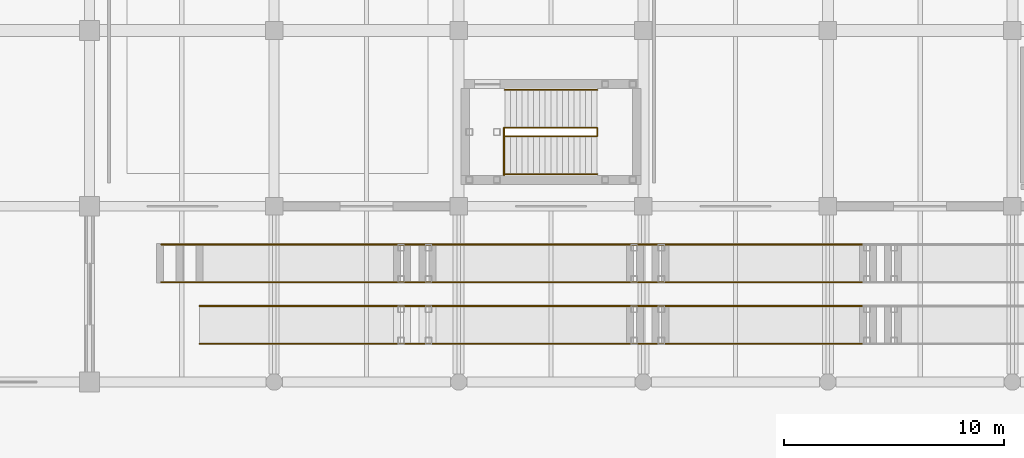
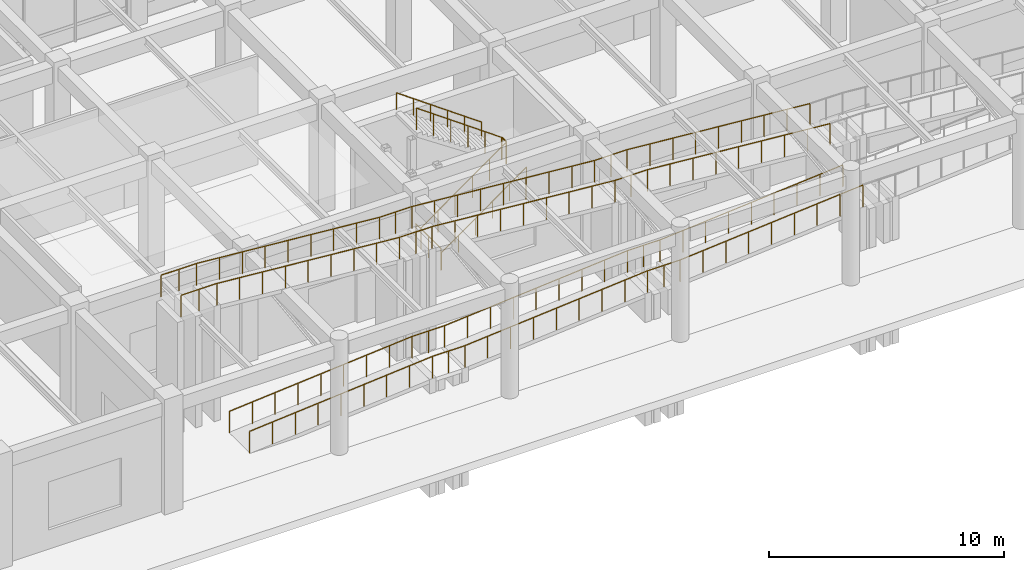
# One storey, part 69 of 76: 28 railings.
"""IFC4 building model written with IfcOpenShell, lengths in metres."""

import ifcopenshell
import ifcopenshell.guid

model = None  # the IFC model being written
_history = None  # IfcOwnerHistory: only IFC2X3 demands one
_inside = {}  # id of a spatial element -> (the spatial element, [elements in it])
_under = {}  # id of a project, library or spatial element -> (it, [spatial elements below it])
_declared = {}  # id of a project -> (the project, [libraries it declares])
_typed = {}  # id of a type object -> (the type object, [elements of that type])
_made_of = {}  # id of a material, layer set ... -> (it, [elements and type objects made of it])


def new_model(schema):
    """Start an empty IFC model of exactly this schema.

    Asked for "IFC4X3", IfcOpenShell would pick the latest addendum, in which some entities
    have other attributes; the version numbers below select the first issue.
    IFC2X3 requires an IfcOwnerHistory on every rooted entity: one is made here for all.
    """
    global model, _history
    if schema == "IFC4X3":
        model = ifcopenshell.file(schema_version=(4, 3, 0, 0))
    else:
        model = ifcopenshell.file(schema=schema)
    _inside.clear()
    _under.clear()
    _declared.clear()
    _typed.clear()
    _made_of.clear()
    _history = None
    if model.schema == "IFC2X3":
        org = make("IfcOrganization", Name="unknown")
        user = make(
            "IfcPersonAndOrganization",
            ThePerson=make("IfcPerson", FamilyName="unknown"),
            TheOrganization=org,
        )
        app = make(
            "IfcApplication",
            ApplicationDeveloper=org,
            Version="unknown",
            ApplicationFullName="unknown",
            ApplicationIdentifier="unknown",
        )
        _history = make(
            "IfcOwnerHistory",
            OwningUser=user,
            OwningApplication=app,
            ChangeAction="ADDED",
            CreationDate=0,
        )
    return model


def make(cls, **values):
    """One entity of the class cls with the attributes given. An attribute that is None is left unset."""
    return model.create_entity(
        cls, **{name: value for name, value in values.items() if value is not None}
    )


def rooted(cls, **values):
    """An entity with a GlobalId (a new one), such as an element, a storey or a relation."""
    return make(cls, GlobalId=ifcopenshell.guid.new(), OwnerHistory=_history, **values)


def si_unit(unit_type, name, prefix=None):
    """IfcSIUnit, for example si_unit("LENGTHUNIT", "METRE", prefix="MILLI")."""
    return make("IfcSIUnit", UnitType=unit_type, Prefix=prefix, Name=name)


def assignment(units):
    """IfcUnitAssignment: the units of a project."""
    return None if units is None else make("IfcUnitAssignment", Units=units)


def point(xyz):
    """IfcCartesianPoint."""
    return None if xyz is None else make("IfcCartesianPoint", Coordinates=xyz)


def direction(xyz):
    """IfcDirection."""
    return None if xyz is None else make("IfcDirection", DirectionRatios=xyz)


def frame(location, z_axis=None, x_axis=None):
    """IfcAxis2Placement3D, a coordinate frame: its origin and axes. An axis left out is left unset."""
    return make(
        "IfcAxis2Placement3D",
        Location=point(location),
        Axis=direction(z_axis),
        RefDirection=direction(x_axis),
    )


def frame_2d(location, x_axis=None):
    """IfcAxis2Placement2D, a coordinate frame in the plane: its origin and x axis."""
    return make(
        "IfcAxis2Placement2D", Location=point(location), RefDirection=direction(x_axis)
    )


def origin():
    """The frame at (0, 0, 0) with its axes left unset."""
    return frame((0.0, 0.0, 0.0))


def origin_2d():
    """The frame at (0, 0) in the plane with its x axis left unset."""
    return frame_2d((0.0, 0.0))


def place(relative_to, where):
    """IfcLocalPlacement: puts the frame where relative to a parent placement (None: the world)."""
    return make(
        "IfcLocalPlacement", PlacementRelTo=relative_to, RelativePlacement=where
    )


def context(
    kind, dimensions, precision=None, world=None, true_north=None, identifier=None
):
    """IfcGeometricRepresentationContext, for example the 3D "Model" context."""
    return make(
        "IfcGeometricRepresentationContext",
        ContextIdentifier=identifier,
        ContextType=kind,
        CoordinateSpaceDimension=dimensions,
        Precision=precision,
        WorldCoordinateSystem=world,
        TrueNorth=true_north,
    )


def subcontext(parent, identifier, kind, view, scale=None):
    """IfcGeometricRepresentationSubContext, for example "Body" below "Model"."""
    return make(
        "IfcGeometricRepresentationSubContext",
        ContextIdentifier=identifier,
        ContextType=kind,
        ParentContext=parent,
        TargetScale=scale,
        TargetView=view,
    )


def project(units=None, contexts=None):
    """IfcProject with its units and contexts."""
    return rooted(
        "IfcProject",
        Name="project",
        RepresentationContexts=contexts,
        UnitsInContext=assignment(units),
    )


def spatial(cls, under=None, at=None, **own):
    """A site, building, storey or space (cls), placed at a placement, below another one or the project."""
    s = rooted(cls, ObjectPlacement=at, **own)
    if under is not None:
        _under.setdefault(under.id(), (under, []))[1].append(s)
    return s


def profile(cls, at=None, kind="AREA", **sizes):
    """A parametric profile (cls). Its sizes go by their IFC names, for example OverallWidth=200.0."""
    return make(cls, ProfileType=kind, Position=at, **sizes)


def circle(**sizes):
    """IfcCircleProfileDef."""
    return profile("IfcCircleProfileDef", **sizes)


def extrude(swept, where, along, depth):
    """IfcExtrudedAreaSolid: the profile swept, set in the frame where, extruded along a direction by depth."""
    return make(
        "IfcExtrudedAreaSolid",
        SweptArea=swept,
        Position=where,
        ExtrudedDirection=direction(along),
        Depth=depth,
    )


def shape(context_of_items, identifier, shape_type, items):
    """IfcShapeRepresentation: the items that make up one representation, for example the "Body"."""
    return make(
        "IfcShapeRepresentation",
        ContextOfItems=context_of_items,
        RepresentationIdentifier=identifier,
        RepresentationType=shape_type,
        Items=items,
    )


def material(Name=None, Category=None):
    """IfcMaterial."""
    return make("IfcMaterial", Name=Name, Category=Category)


def layer(
    of_material, thickness, ventilated=None, Name=None, Category=None, Priority=None
):
    """IfcMaterialLayer: one layer of a wall or slab, of a material (None: an air gap)."""
    return make(
        "IfcMaterialLayer",
        Material=of_material,
        LayerThickness=thickness,
        IsVentilated=ventilated,
        Name=Name,
        Category=Category,
        Priority=Priority,
    )


def layer_set(layers, Name=None):
    """IfcMaterialLayerSet."""
    return make("IfcMaterialLayerSet", MaterialLayers=layers, LayerSetName=Name)


def made_of(thing, what):
    """Note that an element or type object is made of a material, layer set ...; save() writes the relation."""
    if what is not None:
        _made_of.setdefault(what.id(), (what, []))[1].append(thing)
    return thing


def type_object(cls, material=None, **own):
    """A type object (cls), such as IfcWallType, which elements share."""
    return made_of(rooted(cls, **own), material)


def element(
    cls,
    number,
    at=None,
    inside=None,
    cuts=None,
    type_object=None,
    material=None,
    context=None,
    identifier="Body",
    shape_type=None,
    held_by="IfcProductDefinitionShape",
    body=None,
    shapes=None,
    **own,
):
    """One element of the class cls, such as IfcWall. Its Tag is "e" and its number.

    at: its placement. inside: the storey or other place that contains it. cuts: it is an
    opening in that element (IfcRelVoidsElement). A single representation is given by context,
    identifier, shape_type and body (its items); several are given by shapes. held_by: the class
    of the entity that holds the representations. save() writes the other relations.
    """
    e = rooted(cls, Tag="e%d" % number, ObjectPlacement=at, **own)
    if body is not None:
        shapes = [shape(context, identifier, shape_type, body)]
    if shapes is not None:
        e.Representation = make(held_by, Representations=shapes)
    if inside is not None:
        _inside.setdefault(inside.id(), (inside, []))[1].append(e)
    if cuts is not None:
        rooted(
            "IfcRelVoidsElement", RelatingBuildingElement=cuts, RelatedOpeningElement=e
        )
    if type_object is not None:
        _typed.setdefault(type_object.id(), (type_object, []))[1].append(e)
    return made_of(e, material)


def aggregate(whole, parts):
    """IfcRelAggregates: a whole, such as a stair, and the parts it consists of."""
    return rooted("IfcRelAggregates", RelatingObject=whole, RelatedObjects=parts)


def save(model, path):
    """Write the relations noted so far, then the file.

    IfcRelAggregates (storeys below a building ...), IfcRelContainedInSpatialStructure (elements
    in a storey), IfcRelDefinesByType, IfcRelAssociatesMaterial and IfcRelDeclares: one each for
    every whole, place, type object, material and project.
    """
    for whole, parts in _under.values():
        aggregate(whole, parts)
    for where, things in _inside.values():
        rooted(
            "IfcRelContainedInSpatialStructure",
            RelatedElements=things,
            RelatingStructure=where,
        )
    for kind, things in _typed.values():
        rooted("IfcRelDefinesByType", RelatedObjects=things, RelatingType=kind)
    for what, things in _made_of.values():
        rooted("IfcRelAssociatesMaterial", RelatedObjects=things, RelatingMaterial=what)
    for by, libraries in _declared.values():
        rooted("IfcRelDeclares", RelatingContext=by, RelatedDefinitions=libraries)
    model.write(path)


model = new_model("IFC4")

# Units and contexts
model_context = context("Model", 3, precision=1e-05, world=origin(), true_north=direction((0.0, 1.0)))
body_context = subcontext(model_context, "Body", "Model", "MODEL_VIEW")
ifc_project = project(units=[si_unit("LENGTHUNIT", "METRE"), si_unit("AREAUNIT", "SQUARE_METRE"), si_unit("VOLUMEUNIT", "CUBIC_METRE"), si_unit("PLANEANGLEUNIT", "RADIAN"), si_unit("MASSUNIT", "GRAM", prefix="KILO")], contexts=[model_context])

# Site, building, storey
site_placement = place(None, origin())
site = spatial("IfcSite", under=ifc_project, at=site_placement, CompositionType="ELEMENT")
building_placement = place(site_placement, origin())
building = spatial("IfcBuilding", under=site, at=building_placement, Name="Naruveol Harbour Congress Hotel", CompositionType="ELEMENT")
storey_placement = place(building_placement, origin())
storey = spatial("IfcBuildingStorey", under=building, at=storey_placement, Name="L00", CompositionType="ELEMENT", Elevation=0.0)

# Railings
ifc_material_1 = material(Name="Steel SN490", Category="steel")
ifc_layer_1 = layer(ifc_material_1, 0.050048828125)
ifc_layer_set_1 = layer_set([ifc_layer_1], Name="Steel SN490")
railing_type_1 = type_object("IfcRailingType", Name="GALVANISED STEEL DECK GUARDRAIL 1150", PredefinedType="GUARDRAIL", material=ifc_layer_set_1)
railing_1_placement = place(storey_placement, frame((63.800048828125, 1.739990234375, 0.0)))
element("IfcRailing", 1, at=railing_1_placement, inside=storey, type_object=railing_type_1, Name="Ramp east run south guard #8", PredefinedType="GUARDRAIL", context=body_context, shape_type="SweptSolid", body=[
    extrude(circle(Radius=0.02392578125, at=origin_2d()), frame((0.0, 0.0, 1.1259765625), z_axis=(0.996545758245, 0.0, 0.083045479854), x_axis=(0.0, 1.0, 0.0)), (0.0, 0.0, 1.0), 9.03125),
    extrude(circle(Radius=0.02099609375, at=origin_2d()), origin(), (0.0, 0.0, 1.0), 1.101806640625),
    extrude(circle(Radius=0.02099609375, at=origin_2d()), frame((1.125, 0.0, 0.09375)), (0.0, 0.0, 1.0), 1.101806640625),
    extrude(circle(Radius=0.02099609375, at=origin_2d()), frame((2.25, 0.0, 0.1875)), (0.0, 0.0, 1.0), 1.101806640625),
    extrude(circle(Radius=0.02099609375, at=origin_2d()), frame((3.375, 0.0, 0.28125)), (0.0, 0.0, 1.0), 1.101806640625),
    extrude(circle(Radius=0.02099609375, at=origin_2d()), frame((4.5, 0.0, 0.375)), (0.0, 0.0, 1.0), 1.101806640625),
    extrude(circle(Radius=0.02099609375, at=origin_2d()), frame((5.625, 0.0, 0.46875)), (0.0, 0.0, 1.0), 1.101806640625),
    extrude(circle(Radius=0.02099609375, at=origin_2d()), frame((6.75, 0.0, 0.5625)), (0.0, 0.0, 1.0), 1.101806640625),
    extrude(circle(Radius=0.02099609375, at=origin_2d()), frame((7.875, 0.0, 0.65625)), (0.0, 0.0, 1.0), 1.101806640625),
    extrude(circle(Radius=0.02099609375, at=origin_2d()), frame((9.0, 0.0, 0.75)), (0.0, 0.0, 1.0), 1.101806640625),
])
railing_2_placement = place(storey_placement, frame((72.800048828125, 1.739990234375, 0.75)))
element("IfcRailing", 2, at=railing_2_placement, inside=storey, type_object=railing_type_1, Name="Ramp east run south guard #9", PredefinedType="GUARDRAIL", context=body_context, shape_type="SweptSolid", body=[
    extrude(circle(Radius=0.02392578125, at=origin_2d()), frame((0.0, 0.0, 1.1259765625), z_axis=(1.0, 0.0, 0.0), x_axis=(0.0, 1.0, 0.0)), (0.0, 0.0, 1.0), 1.599853515625),
    extrude(circle(Radius=0.02099609375, at=origin_2d()), origin(), (0.0, 0.0, 1.0), 1.101806640625),
    extrude(circle(Radius=0.02099609375, at=origin_2d()), frame((0.7998046875, 0.0, 0.0)), (0.0, 0.0, 1.0), 1.101806640625),
    extrude(circle(Radius=0.02099609375, at=origin_2d()), frame((1.599853515625, 0.0, 0.0)), (0.0, 0.0, 1.0), 1.101806640625),
])
railing_3_placement = place(storey_placement, frame((74.39990234375, 1.739990234375, 0.75)))
element("IfcRailing", 3, at=railing_3_placement, inside=storey, type_object=railing_type_1, Name="Ramp east run south guard #10", PredefinedType="GUARDRAIL", context=body_context, shape_type="SweptSolid", body=[
    extrude(circle(Radius=0.02392578125, at=origin_2d()), frame((0.0, 0.0, 1.1259765625), z_axis=(0.996545758245, 0.0, 0.083045479854), x_axis=(0.0, 1.0, 0.0)), (0.0, 0.0, 1.0), 9.03125),
    extrude(circle(Radius=0.02099609375, at=origin_2d()), origin(), (0.0, 0.0, 1.0), 1.101806640625),
    extrude(circle(Radius=0.02099609375, at=origin_2d()), frame((1.125, 0.0, 0.09375)), (0.0, 0.0, 1.0), 1.101806640625),
    extrude(circle(Radius=0.02099609375, at=origin_2d()), frame((2.25, 0.0, 0.1875)), (0.0, 0.0, 1.0), 1.101806640625),
    extrude(circle(Radius=0.02099609375, at=origin_2d()), frame((3.375, 0.0, 0.28125)), (0.0, 0.0, 1.0), 1.101806640625),
    extrude(circle(Radius=0.02099609375, at=origin_2d()), frame((4.5, 0.0, 0.375)), (0.0, 0.0, 1.0), 1.101806640625),
    extrude(circle(Radius=0.02099609375, at=origin_2d()), frame((5.625, 0.0, 0.46875)), (0.0, 0.0, 1.0), 1.101806640625),
    extrude(circle(Radius=0.02099609375, at=origin_2d()), frame((6.75, 0.0, 0.5625)), (0.0, 0.0, 1.0), 1.101806640625),
    extrude(circle(Radius=0.02099609375, at=origin_2d()), frame((7.875, 0.0, 0.65625)), (0.0, 0.0, 1.0), 1.101806640625),
    extrude(circle(Radius=0.02099609375, at=origin_2d()), frame((9.0, 0.0, 0.75)), (0.0, 0.0, 1.0), 1.101806640625),
])
railing_4_placement = place(storey_placement, frame((83.39990234375, 1.739990234375, 1.5)))
element("IfcRailing", 4, at=railing_4_placement, inside=storey, type_object=railing_type_1, Name="Ramp east run south guard #11", PredefinedType="GUARDRAIL", context=body_context, shape_type="SweptSolid", body=[
    extrude(circle(Radius=0.02392578125, at=origin_2d()), frame((0.0, 0.0, 1.1259765625), z_axis=(1.0, 0.0, 0.0), x_axis=(0.0, 1.0, 0.0)), (0.0, 0.0, 1.0), 1.60009765625),
    extrude(circle(Radius=0.02099609375, at=origin_2d()), origin(), (0.0, 0.0, 1.0), 1.101806640625),
    extrude(circle(Radius=0.02099609375, at=origin_2d()), frame((0.800048828125, 0.0, 0.0)), (0.0, 0.0, 1.0), 1.101806640625),
    extrude(circle(Radius=0.02099609375, at=origin_2d()), frame((1.60009765625, 0.0, 0.0)), (0.0, 0.0, 1.0), 1.101806640625),
])
for number, where, name in (
    (5, (85.0, 1.739990234375, 1.5), "Ramp east run south guard #12"),
    (6, (63.800048828125, 3.4599609375, 0.0), "Ramp east run inner guard #15"),
):
    element("IfcRailing", number, at=place(storey_placement, frame(where)), inside=storey, type_object=railing_type_1, Name=name, PredefinedType="GUARDRAIL", context=body_context, shape_type="SweptSolid", body=[
        extrude(circle(Radius=0.02392578125, at=origin_2d()), frame((0.0, 0.0, 1.1259765625), z_axis=(0.996545758245, 0.0, 0.083045479854), x_axis=(0.0, 1.0, 0.0)), (0.0, 0.0, 1.0), 9.03125),
        extrude(circle(Radius=0.02099609375, at=origin_2d()), origin(), (0.0, 0.0, 1.0), 1.101806640625),
        extrude(circle(Radius=0.02099609375, at=origin_2d()), frame((1.125, 0.0, 0.09375)), (0.0, 0.0, 1.0), 1.101806640625),
        extrude(circle(Radius=0.02099609375, at=origin_2d()), frame((2.25, 0.0, 0.1875)), (0.0, 0.0, 1.0), 1.101806640625),
        extrude(circle(Radius=0.02099609375, at=origin_2d()), frame((3.375, 0.0, 0.28125)), (0.0, 0.0, 1.0), 1.101806640625),
        extrude(circle(Radius=0.02099609375, at=origin_2d()), frame((4.5, 0.0, 0.375)), (0.0, 0.0, 1.0), 1.101806640625),
        extrude(circle(Radius=0.02099609375, at=origin_2d()), frame((5.625, 0.0, 0.46875)), (0.0, 0.0, 1.0), 1.101806640625),
        extrude(circle(Radius=0.02099609375, at=origin_2d()), frame((6.75, 0.0, 0.5625)), (0.0, 0.0, 1.0), 1.101806640625),
        extrude(circle(Radius=0.02099609375, at=origin_2d()), frame((7.875, 0.0, 0.65625)), (0.0, 0.0, 1.0), 1.101806640625),
        extrude(circle(Radius=0.02099609375, at=origin_2d()), frame((9.0, 0.0, 0.75)), (0.0, 0.0, 1.0), 1.101806640625),
    ])
railing_5_placement = place(storey_placement, frame((72.800048828125, 3.4599609375, 0.75)))
element("IfcRailing", 7, at=railing_5_placement, inside=storey, type_object=railing_type_1, Name="Ramp east run inner guard #16", PredefinedType="GUARDRAIL", context=body_context, shape_type="SweptSolid", body=[
    extrude(circle(Radius=0.02392578125, at=origin_2d()), frame((0.0, 0.0, 1.1259765625), z_axis=(1.0, 0.0, 0.0), x_axis=(0.0, 1.0, 0.0)), (0.0, 0.0, 1.0), 1.599853515625),
    extrude(circle(Radius=0.02099609375, at=origin_2d()), origin(), (0.0, 0.0, 1.0), 1.101806640625),
    extrude(circle(Radius=0.02099609375, at=origin_2d()), frame((0.7998046875, 0.0, 0.0)), (0.0, 0.0, 1.0), 1.101806640625),
    extrude(circle(Radius=0.02099609375, at=origin_2d()), frame((1.599853515625, 0.0, 0.0)), (0.0, 0.0, 1.0), 1.101806640625),
])
railing_6_placement = place(storey_placement, frame((74.39990234375, 3.4599609375, 0.75)))
element("IfcRailing", 8, at=railing_6_placement, inside=storey, type_object=railing_type_1, Name="Ramp east run inner guard #17", PredefinedType="GUARDRAIL", context=body_context, shape_type="SweptSolid", body=[
    extrude(circle(Radius=0.02392578125, at=origin_2d()), frame((0.0, 0.0, 1.1259765625), z_axis=(0.996545758245, 0.0, 0.083045479854), x_axis=(0.0, 1.0, 0.0)), (0.0, 0.0, 1.0), 9.03125),
    extrude(circle(Radius=0.02099609375, at=origin_2d()), origin(), (0.0, 0.0, 1.0), 1.101806640625),
    extrude(circle(Radius=0.02099609375, at=origin_2d()), frame((1.125, 0.0, 0.09375)), (0.0, 0.0, 1.0), 1.101806640625),
    extrude(circle(Radius=0.02099609375, at=origin_2d()), frame((2.25, 0.0, 0.1875)), (0.0, 0.0, 1.0), 1.101806640625),
    extrude(circle(Radius=0.02099609375, at=origin_2d()), frame((3.375, 0.0, 0.28125)), (0.0, 0.0, 1.0), 1.101806640625),
    extrude(circle(Radius=0.02099609375, at=origin_2d()), frame((4.5, 0.0, 0.375)), (0.0, 0.0, 1.0), 1.101806640625),
    extrude(circle(Radius=0.02099609375, at=origin_2d()), frame((5.625, 0.0, 0.46875)), (0.0, 0.0, 1.0), 1.101806640625),
    extrude(circle(Radius=0.02099609375, at=origin_2d()), frame((6.75, 0.0, 0.5625)), (0.0, 0.0, 1.0), 1.101806640625),
    extrude(circle(Radius=0.02099609375, at=origin_2d()), frame((7.875, 0.0, 0.65625)), (0.0, 0.0, 1.0), 1.101806640625),
    extrude(circle(Radius=0.02099609375, at=origin_2d()), frame((9.0, 0.0, 0.75)), (0.0, 0.0, 1.0), 1.101806640625),
])
railing_7_placement = place(storey_placement, frame((83.39990234375, 3.4599609375, 1.5)))
element("IfcRailing", 9, at=railing_7_placement, inside=storey, type_object=railing_type_1, Name="Ramp east run inner guard #18", PredefinedType="GUARDRAIL", context=body_context, shape_type="SweptSolid", body=[
    extrude(circle(Radius=0.02392578125, at=origin_2d()), frame((0.0, 0.0, 1.1259765625), z_axis=(1.0, 0.0, 0.0), x_axis=(0.0, 1.0, 0.0)), (0.0, 0.0, 1.0), 1.60009765625),
    extrude(circle(Radius=0.02099609375, at=origin_2d()), origin(), (0.0, 0.0, 1.0), 1.101806640625),
    extrude(circle(Radius=0.02099609375, at=origin_2d()), frame((0.800048828125, 0.0, 0.0)), (0.0, 0.0, 1.0), 1.101806640625),
    extrude(circle(Radius=0.02099609375, at=origin_2d()), frame((1.60009765625, 0.0, 0.0)), (0.0, 0.0, 1.0), 1.101806640625),
])
railing_8_placement = place(storey_placement, frame((85.0, 3.4599609375, 1.5)))
element("IfcRailing", 10, at=railing_8_placement, inside=storey, type_object=railing_type_1, Name="Ramp east run inner guard #19", PredefinedType="GUARDRAIL", context=body_context, shape_type="SweptSolid", body=[
    extrude(circle(Radius=0.02392578125, at=origin_2d()), frame((0.0, 0.0, 1.1259765625), z_axis=(0.996545758245, 0.0, 0.083045479854), x_axis=(0.0, 1.0, 0.0)), (0.0, 0.0, 1.0), 9.03125),
    extrude(circle(Radius=0.02099609375, at=origin_2d()), origin(), (0.0, 0.0, 1.0), 1.101806640625),
    extrude(circle(Radius=0.02099609375, at=origin_2d()), frame((1.125, 0.0, 0.09375)), (0.0, 0.0, 1.0), 1.101806640625),
    extrude(circle(Radius=0.02099609375, at=origin_2d()), frame((2.25, 0.0, 0.1875)), (0.0, 0.0, 1.0), 1.101806640625),
    extrude(circle(Radius=0.02099609375, at=origin_2d()), frame((3.375, 0.0, 0.28125)), (0.0, 0.0, 1.0), 1.101806640625),
    extrude(circle(Radius=0.02099609375, at=origin_2d()), frame((4.5, 0.0, 0.375)), (0.0, 0.0, 1.0), 1.101806640625),
    extrude(circle(Radius=0.02099609375, at=origin_2d()), frame((5.625, 0.0, 0.46875)), (0.0, 0.0, 1.0), 1.101806640625),
    extrude(circle(Radius=0.02099609375, at=origin_2d()), frame((6.75, 0.0, 0.5625)), (0.0, 0.0, 1.0), 1.101806640625),
    extrude(circle(Radius=0.02099609375, at=origin_2d()), frame((7.875, 0.0, 0.65625)), (0.0, 0.0, 1.0), 1.101806640625),
    extrude(circle(Radius=0.02099609375, at=origin_2d()), frame((9.0, 0.0, 0.75)), (0.0, 0.0, 1.0), 1.101806640625),
])
railing_9_placement = place(storey_placement, frame((94.0, 4.5400390625, 3.75)))
element("IfcRailing", 11, at=railing_9_placement, inside=storey, type_object=railing_type_1, Name="Ramp west run inner guard #29", PredefinedType="GUARDRAIL", context=body_context, shape_type="SweptSolid", body=[
    extrude(circle(Radius=0.02392578125, at=origin_2d()), frame((0.0, 0.0, 1.1259765625), z_axis=(-0.996545758245, 0.0, 0.083045479854), x_axis=(0.0, -1.0, 0.0)), (0.0, 0.0, 1.0), 9.03125),
    extrude(circle(Radius=0.02099609375, at=origin_2d()), origin(), (0.0, 0.0, 1.0), 1.101806640625),
    extrude(circle(Radius=0.02099609375, at=origin_2d()), frame((-1.125, 0.0, 0.09375)), (0.0, 0.0, 1.0), 1.101806640625),
    extrude(circle(Radius=0.02099609375, at=origin_2d()), frame((-2.25, 0.0, 0.1875)), (0.0, 0.0, 1.0), 1.101806640625),
    extrude(circle(Radius=0.02099609375, at=origin_2d()), frame((-3.375, 0.0, 0.28125)), (0.0, 0.0, 1.0), 1.101806640625),
    extrude(circle(Radius=0.02099609375, at=origin_2d()), frame((-4.5, 0.0, 0.375)), (0.0, 0.0, 1.0), 1.101806640625),
    extrude(circle(Radius=0.02099609375, at=origin_2d()), frame((-5.625, 0.0, 0.46875)), (0.0, 0.0, 1.0), 1.101806640625),
    extrude(circle(Radius=0.02099609375, at=origin_2d()), frame((-6.75, 0.0, 0.5625)), (0.0, 0.0, 1.0), 1.101806640625),
    extrude(circle(Radius=0.02099609375, at=origin_2d()), frame((-7.875, 0.0, 0.65625)), (0.0, 0.0, 1.0), 1.101806640625),
    extrude(circle(Radius=0.02099609375, at=origin_2d()), frame((-9.0, 0.0, 0.75)), (0.0, 0.0, 1.0), 1.101806640625),
])
railing_10_placement = place(storey_placement, frame((85.0, 4.5400390625, 4.5)))
element("IfcRailing", 12, at=railing_10_placement, inside=storey, type_object=railing_type_1, Name="Ramp west run inner guard #30", PredefinedType="GUARDRAIL", context=body_context, shape_type="SweptSolid", body=[
    extrude(circle(Radius=0.02392578125, at=origin_2d()), frame((0.0, 0.0, 1.1259765625), z_axis=(-1.0, 0.0, 0.0), x_axis=(0.0, -1.0, 0.0)), (0.0, 0.0, 1.0), 1.60009765625),
    extrude(circle(Radius=0.02099609375, at=origin_2d()), origin(), (0.0, 0.0, 1.0), 1.101806640625),
    extrude(circle(Radius=0.02099609375, at=origin_2d()), frame((-0.800048828125, 0.0, 0.0)), (0.0, 0.0, 1.0), 1.101806640625),
    extrude(circle(Radius=0.02099609375, at=origin_2d()), frame((-1.60009765625, 0.0, 0.0)), (0.0, 0.0, 1.0), 1.101806640625),
])
railing_11_placement = place(storey_placement, frame((83.39990234375, 4.5400390625, 4.5)))
element("IfcRailing", 13, at=railing_11_placement, inside=storey, type_object=railing_type_1, Name="Ramp west run inner guard #31", PredefinedType="GUARDRAIL", context=body_context, shape_type="SweptSolid", body=[
    extrude(circle(Radius=0.02392578125, at=origin_2d()), frame((0.0, 0.0, 1.1259765625), z_axis=(-0.996545758245, 0.0, 0.083045479854), x_axis=(0.0, -1.0, 0.0)), (0.0, 0.0, 1.0), 9.03125),
    extrude(circle(Radius=0.02099609375, at=origin_2d()), origin(), (0.0, 0.0, 1.0), 1.101806640625),
    extrude(circle(Radius=0.02099609375, at=origin_2d()), frame((-1.125, 0.0, 0.09375)), (0.0, 0.0, 1.0), 1.101806640625),
    extrude(circle(Radius=0.02099609375, at=origin_2d()), frame((-2.25, 0.0, 0.1875)), (0.0, 0.0, 1.0), 1.101806640625),
    extrude(circle(Radius=0.02099609375, at=origin_2d()), frame((-3.375, 0.0, 0.28125)), (0.0, 0.0, 1.0), 1.101806640625),
    extrude(circle(Radius=0.02099609375, at=origin_2d()), frame((-4.5, 0.0, 0.375)), (0.0, 0.0, 1.0), 1.101806640625),
    extrude(circle(Radius=0.02099609375, at=origin_2d()), frame((-5.625, 0.0, 0.46875)), (0.0, 0.0, 1.0), 1.101806640625),
    extrude(circle(Radius=0.02099609375, at=origin_2d()), frame((-6.75, 0.0, 0.5625)), (0.0, 0.0, 1.0), 1.101806640625),
    extrude(circle(Radius=0.02099609375, at=origin_2d()), frame((-7.875, 0.0, 0.65625)), (0.0, 0.0, 1.0), 1.101806640625),
    extrude(circle(Radius=0.02099609375, at=origin_2d()), frame((-9.0, 0.0, 0.75)), (0.0, 0.0, 1.0), 1.101806640625),
])
railing_12_placement = place(storey_placement, frame((74.39990234375, 4.5400390625, 5.25)))
element("IfcRailing", 14, at=railing_12_placement, inside=storey, type_object=railing_type_1, Name="Ramp west run inner guard #32", PredefinedType="GUARDRAIL", context=body_context, shape_type="SweptSolid", body=[
    extrude(circle(Radius=0.02392578125, at=origin_2d()), frame((0.0, 0.0, 1.1259765625), z_axis=(-1.0, 0.0, 0.0), x_axis=(0.0, -1.0, 0.0)), (0.0, 0.0, 1.0), 1.599853515625),
    extrude(circle(Radius=0.02099609375, at=origin_2d()), origin(), (0.0, 0.0, 1.0), 1.101806640625),
    extrude(circle(Radius=0.02099609375, at=origin_2d()), frame((-0.7998046875, 0.0, 0.0)), (0.0, 0.0, 1.0), 1.101806640625),
    extrude(circle(Radius=0.02099609375, at=origin_2d()), frame((-1.599853515625, 0.0, 0.0)), (0.0, 0.0, 1.0), 1.101806640625),
])
railing_13_placement = place(storey_placement, frame((72.800048828125, 4.5400390625, 5.25)))
element("IfcRailing", 15, at=railing_13_placement, inside=storey, type_object=railing_type_1, Name="Ramp west run inner guard #33", PredefinedType="GUARDRAIL", context=body_context, shape_type="SweptSolid", body=[
    extrude(circle(Radius=0.02392578125, at=origin_2d()), frame((0.0, 0.0, 1.1259765625), z_axis=(-0.996545758245, 0.0, 0.083045479854), x_axis=(0.0, -1.0, 0.0)), (0.0, 0.0, 1.0), 9.03125),
    extrude(circle(Radius=0.02099609375, at=origin_2d()), origin(), (0.0, 0.0, 1.0), 1.101806640625),
    extrude(circle(Radius=0.02099609375, at=origin_2d()), frame((-1.125, 0.0, 0.09375)), (0.0, 0.0, 1.0), 1.101806640625),
    extrude(circle(Radius=0.02099609375, at=origin_2d()), frame((-2.25, 0.0, 0.1875)), (0.0, 0.0, 1.0), 1.101806640625),
    extrude(circle(Radius=0.02099609375, at=origin_2d()), frame((-3.375, 0.0, 0.28125)), (0.0, 0.0, 1.0), 1.101806640625),
    extrude(circle(Radius=0.02099609375, at=origin_2d()), frame((-4.5, 0.0, 0.375)), (0.0, 0.0, 1.0), 1.101806640625),
    extrude(circle(Radius=0.02099609375, at=origin_2d()), frame((-5.625, 0.0, 0.46875)), (0.0, 0.0, 1.0), 1.101806640625),
    extrude(circle(Radius=0.02099609375, at=origin_2d()), frame((-6.75, 0.0, 0.5625)), (0.0, 0.0, 1.0), 1.101806640625),
    extrude(circle(Radius=0.02099609375, at=origin_2d()), frame((-7.875, 0.0, 0.65625)), (0.0, 0.0, 1.0), 1.101806640625),
    extrude(circle(Radius=0.02099609375, at=origin_2d()), frame((-9.0, 0.0, 0.75)), (0.0, 0.0, 1.0), 1.101806640625),
])
railing_14_placement = place(storey_placement, frame((63.800048828125, 4.5400390625, 6.0)))
element("IfcRailing", 16, at=railing_14_placement, inside=storey, type_object=railing_type_1, Name="Ramp west run inner guard #34", PredefinedType="GUARDRAIL", context=body_context, shape_type="SweptSolid", body=[
    extrude(circle(Radius=0.02392578125, at=origin_2d()), frame((0.0, 0.0, 1.1259765625), z_axis=(-1.0, 0.0, 0.0), x_axis=(0.0, -1.0, 0.0)), (0.0, 0.0, 1.0), 1.75),
    extrude(circle(Radius=0.02099609375, at=origin_2d()), origin(), (0.0, 0.0, 1.0), 1.101806640625),
    extrude(circle(Radius=0.02099609375, at=origin_2d()), frame((-0.875, 0.0, 0.0)), (0.0, 0.0, 1.0), 1.101806640625),
    extrude(circle(Radius=0.02099609375, at=origin_2d()), frame((-1.75, 0.0, 0.0)), (0.0, 0.0, 1.0), 1.101806640625),
])
railing_15_placement = place(storey_placement, frame((94.0, 6.260009765625, 3.75)))
element("IfcRailing", 17, at=railing_15_placement, inside=storey, type_object=railing_type_1, Name="Ramp west run north guard #37", PredefinedType="GUARDRAIL", context=body_context, shape_type="SweptSolid", body=[
    extrude(circle(Radius=0.02392578125, at=origin_2d()), frame((0.0, 0.0, 1.1259765625), z_axis=(-0.996545758245, 0.0, 0.083045479854), x_axis=(0.0, -1.0, 0.0)), (0.0, 0.0, 1.0), 9.03125),
    extrude(circle(Radius=0.02099609375, at=origin_2d()), origin(), (0.0, 0.0, 1.0), 1.101806640625),
    extrude(circle(Radius=0.02099609375, at=origin_2d()), frame((-1.125, 0.0, 0.09375)), (0.0, 0.0, 1.0), 1.101806640625),
    extrude(circle(Radius=0.02099609375, at=origin_2d()), frame((-2.25, 0.0, 0.1875)), (0.0, 0.0, 1.0), 1.101806640625),
    extrude(circle(Radius=0.02099609375, at=origin_2d()), frame((-3.375, 0.0, 0.28125)), (0.0, 0.0, 1.0), 1.101806640625),
    extrude(circle(Radius=0.02099609375, at=origin_2d()), frame((-4.5, 0.0, 0.375)), (0.0, 0.0, 1.0), 1.101806640625),
    extrude(circle(Radius=0.02099609375, at=origin_2d()), frame((-5.625, 0.0, 0.46875)), (0.0, 0.0, 1.0), 1.101806640625),
    extrude(circle(Radius=0.02099609375, at=origin_2d()), frame((-6.75, 0.0, 0.5625)), (0.0, 0.0, 1.0), 1.101806640625),
    extrude(circle(Radius=0.02099609375, at=origin_2d()), frame((-7.875, 0.0, 0.65625)), (0.0, 0.0, 1.0), 1.101806640625),
    extrude(circle(Radius=0.02099609375, at=origin_2d()), frame((-9.0, 0.0, 0.75)), (0.0, 0.0, 1.0), 1.101806640625),
])
railing_16_placement = place(storey_placement, frame((85.0, 6.260009765625, 4.5)))
element("IfcRailing", 18, at=railing_16_placement, inside=storey, type_object=railing_type_1, Name="Ramp west run north guard #38", PredefinedType="GUARDRAIL", context=body_context, shape_type="SweptSolid", body=[
    extrude(circle(Radius=0.02392578125, at=origin_2d()), frame((0.0, 0.0, 1.1259765625), z_axis=(-1.0, 0.0, 0.0), x_axis=(0.0, -1.0, 0.0)), (0.0, 0.0, 1.0), 1.60009765625),
    extrude(circle(Radius=0.02099609375, at=origin_2d()), origin(), (0.0, 0.0, 1.0), 1.101806640625),
    extrude(circle(Radius=0.02099609375, at=origin_2d()), frame((-0.800048828125, 0.0, 0.0)), (0.0, 0.0, 1.0), 1.101806640625),
    extrude(circle(Radius=0.02099609375, at=origin_2d()), frame((-1.60009765625, 0.0, 0.0)), (0.0, 0.0, 1.0), 1.101806640625),
])
railing_17_placement = place(storey_placement, frame((83.39990234375, 6.260009765625, 4.5)))
element("IfcRailing", 19, at=railing_17_placement, inside=storey, type_object=railing_type_1, Name="Ramp west run north guard #39", PredefinedType="GUARDRAIL", context=body_context, shape_type="SweptSolid", body=[
    extrude(circle(Radius=0.02392578125, at=origin_2d()), frame((0.0, 0.0, 1.1259765625), z_axis=(-0.996545758245, 0.0, 0.083045479854), x_axis=(0.0, -1.0, 0.0)), (0.0, 0.0, 1.0), 9.03125),
    extrude(circle(Radius=0.02099609375, at=origin_2d()), origin(), (0.0, 0.0, 1.0), 1.101806640625),
    extrude(circle(Radius=0.02099609375, at=origin_2d()), frame((-1.125, 0.0, 0.09375)), (0.0, 0.0, 1.0), 1.101806640625),
    extrude(circle(Radius=0.02099609375, at=origin_2d()), frame((-2.25, 0.0, 0.1875)), (0.0, 0.0, 1.0), 1.101806640625),
    extrude(circle(Radius=0.02099609375, at=origin_2d()), frame((-3.375, 0.0, 0.28125)), (0.0, 0.0, 1.0), 1.101806640625),
    extrude(circle(Radius=0.02099609375, at=origin_2d()), frame((-4.5, 0.0, 0.375)), (0.0, 0.0, 1.0), 1.101806640625),
    extrude(circle(Radius=0.02099609375, at=origin_2d()), frame((-5.625, 0.0, 0.46875)), (0.0, 0.0, 1.0), 1.101806640625),
    extrude(circle(Radius=0.02099609375, at=origin_2d()), frame((-6.75, 0.0, 0.5625)), (0.0, 0.0, 1.0), 1.101806640625),
    extrude(circle(Radius=0.02099609375, at=origin_2d()), frame((-7.875, 0.0, 0.65625)), (0.0, 0.0, 1.0), 1.101806640625),
    extrude(circle(Radius=0.02099609375, at=origin_2d()), frame((-9.0, 0.0, 0.75)), (0.0, 0.0, 1.0), 1.101806640625),
])
railing_18_placement = place(storey_placement, frame((74.39990234375, 6.260009765625, 5.25)))
element("IfcRailing", 20, at=railing_18_placement, inside=storey, type_object=railing_type_1, Name="Ramp west run north guard #40", PredefinedType="GUARDRAIL", context=body_context, shape_type="SweptSolid", body=[
    extrude(circle(Radius=0.02392578125, at=origin_2d()), frame((0.0, 0.0, 1.1259765625), z_axis=(-1.0, 0.0, 0.0), x_axis=(0.0, -1.0, 0.0)), (0.0, 0.0, 1.0), 1.599853515625),
    extrude(circle(Radius=0.02099609375, at=origin_2d()), origin(), (0.0, 0.0, 1.0), 1.101806640625),
    extrude(circle(Radius=0.02099609375, at=origin_2d()), frame((-0.7998046875, 0.0, 0.0)), (0.0, 0.0, 1.0), 1.101806640625),
    extrude(circle(Radius=0.02099609375, at=origin_2d()), frame((-1.599853515625, 0.0, 0.0)), (0.0, 0.0, 1.0), 1.101806640625),
])
railing_19_placement = place(storey_placement, frame((72.800048828125, 6.260009765625, 5.25)))
element("IfcRailing", 21, at=railing_19_placement, inside=storey, type_object=railing_type_1, Name="Ramp west run north guard #41", PredefinedType="GUARDRAIL", context=body_context, shape_type="SweptSolid", body=[
    extrude(circle(Radius=0.02392578125, at=origin_2d()), frame((0.0, 0.0, 1.1259765625), z_axis=(-0.996545758245, 0.0, 0.083045479854), x_axis=(0.0, -1.0, 0.0)), (0.0, 0.0, 1.0), 9.03125),
    extrude(circle(Radius=0.02099609375, at=origin_2d()), origin(), (0.0, 0.0, 1.0), 1.101806640625),
    extrude(circle(Radius=0.02099609375, at=origin_2d()), frame((-1.125, 0.0, 0.09375)), (0.0, 0.0, 1.0), 1.101806640625),
    extrude(circle(Radius=0.02099609375, at=origin_2d()), frame((-2.25, 0.0, 0.1875)), (0.0, 0.0, 1.0), 1.101806640625),
    extrude(circle(Radius=0.02099609375, at=origin_2d()), frame((-3.375, 0.0, 0.28125)), (0.0, 0.0, 1.0), 1.101806640625),
    extrude(circle(Radius=0.02099609375, at=origin_2d()), frame((-4.5, 0.0, 0.375)), (0.0, 0.0, 1.0), 1.101806640625),
    extrude(circle(Radius=0.02099609375, at=origin_2d()), frame((-5.625, 0.0, 0.46875)), (0.0, 0.0, 1.0), 1.101806640625),
    extrude(circle(Radius=0.02099609375, at=origin_2d()), frame((-6.75, 0.0, 0.5625)), (0.0, 0.0, 1.0), 1.101806640625),
    extrude(circle(Radius=0.02099609375, at=origin_2d()), frame((-7.875, 0.0, 0.65625)), (0.0, 0.0, 1.0), 1.101806640625),
    extrude(circle(Radius=0.02099609375, at=origin_2d()), frame((-9.0, 0.0, 0.75)), (0.0, 0.0, 1.0), 1.101806640625),
])
railing_20_placement = place(storey_placement, frame((63.800048828125, 6.260009765625, 6.0)))
element("IfcRailing", 22, at=railing_20_placement, inside=storey, type_object=railing_type_1, Name="Ramp west run north guard #42", PredefinedType="GUARDRAIL", context=body_context, shape_type="SweptSolid", body=[
    extrude(circle(Radius=0.02392578125, at=origin_2d()), frame((0.0, 0.0, 1.1259765625), z_axis=(-1.0, 0.0, 0.0), x_axis=(0.0, -1.0, 0.0)), (0.0, 0.0, 1.0), 1.75),
    extrude(circle(Radius=0.02099609375, at=origin_2d()), origin(), (0.0, 0.0, 1.0), 1.101806640625),
    extrude(circle(Radius=0.02099609375, at=origin_2d()), frame((-0.875, 0.0, 0.0)), (0.0, 0.0, 1.0), 1.101806640625),
    extrude(circle(Radius=0.02099609375, at=origin_2d()), frame((-1.75, 0.0, 0.0)), (0.0, 0.0, 1.0), 1.101806640625),
])
ifc_material_2 = material(Name="Stainless Steel 304", Category="steel")
ifc_layer_2 = layer(ifc_material_2, 0.0419921875)
ifc_layer_set_2 = layer_set([ifc_layer_2], Name="Stainless Steel 304")
railing_type_2 = type_object("IfcRailingType", Name="STAIR WALL MOUNTED HANDRAIL 900", PredefinedType="HANDRAIL", material=ifc_layer_set_2)
railing_21_placement = place(storey_placement, frame((77.699951171875, 9.4599609375, 0.0)))
element("IfcRailing", 23, at=railing_21_placement, inside=storey, type_object=railing_type_2, Name="Stair ST10 L00 lower wall handrail", PredefinedType="HANDRAIL", context=body_context, shape_type="SweptSolid", body=[
    extrude(circle(Radius=0.02392578125, at=origin_2d()), frame((0.0, 0.0, 0.8759765625), z_axis=(0.813730275137, 0.0, 0.581242668191), x_axis=(0.0, 1.0, 0.0)), (0.0, 0.0, 1.0), 5.161376953125),
    extrude(circle(Radius=0.02099609375, at=origin_2d()), origin(), (0.0, 0.0, 1.0), 0.851806640625),
    extrude(circle(Radius=0.02099609375, at=origin_2d()), frame((0.840087890625, 0.0, 0.60009765625)), (0.0, 0.0, 1.0), 0.851806640625),
    extrude(circle(Radius=0.02099609375, at=origin_2d()), frame((1.679931640625, 0.0, 1.199951171875)), (0.0, 0.0, 1.0), 0.851806640625),
    extrude(circle(Radius=0.02099609375, at=origin_2d()), frame((2.52001953125, 0.0, 1.800048828125)), (0.0, 0.0, 1.0), 0.851806640625),
    extrude(circle(Radius=0.02099609375, at=origin_2d()), frame((3.35986328125, 0.0, 2.39990234375)), (0.0, 0.0, 1.0), 0.851806640625),
    extrude(circle(Radius=0.02099609375, at=origin_2d()), frame((4.199951171875, 0.0, 3.0)), (0.0, 0.0, 1.0), 0.851806640625),
])
railing_22_placement = place(storey_placement, frame((81.89990234375, 13.300048828125, 3.0)))
element("IfcRailing", 24, at=railing_22_placement, inside=storey, type_object=railing_type_2, Name="Stair ST10 L00 upper wall handrail", PredefinedType="HANDRAIL", context=body_context, shape_type="SweptSolid", body=[
    extrude(circle(Radius=0.02392578125, at=origin_2d()), frame((0.0, 0.0, 0.8759765625), z_axis=(-0.813730275137, 0.0, 0.581242668191), x_axis=(0.0, -1.0, 0.0)), (0.0, 0.0, 1.0), 5.161376953125),
    extrude(circle(Radius=0.02099609375, at=origin_2d()), origin(), (0.0, 0.0, 1.0), 0.851806640625),
    extrude(circle(Radius=0.02099609375, at=origin_2d()), frame((-0.840087890625, 0.0, 0.60009765625)), (0.0, 0.0, 1.0), 0.851806640625),
    extrude(circle(Radius=0.02099609375, at=origin_2d()), frame((-1.679931640625, 0.0, 1.199951171875)), (0.0, 0.0, 1.0), 0.851806640625),
    extrude(circle(Radius=0.02099609375, at=origin_2d()), frame((-2.52001953125, 0.0, 1.800048828125)), (0.0, 0.0, 1.0), 0.851806640625),
    extrude(circle(Radius=0.02099609375, at=origin_2d()), frame((-3.35986328125, 0.0, 2.39990234375)), (0.0, 0.0, 1.0), 0.851806640625),
    extrude(circle(Radius=0.02099609375, at=origin_2d()), frame((-4.199951171875, 0.0, 3.0)), (0.0, 0.0, 1.0), 0.851806640625),
])
ifc_material_3 = material(Name="Steel SN490", Category="steel")
ifc_layer_3 = layer(ifc_material_3, 0.044921875)
ifc_layer_set_3 = layer_set([ifc_layer_3], Name="Steel SN490")
railing_type_3 = type_object("IfcRailingType", Name="STAIRWELL STEEL GUARDRAIL 1150", PredefinedType="GUARDRAIL", material=ifc_layer_set_3)
railing_23_placement = place(storey_placement, frame((77.699951171875, 11.18994140625, 0.0)))
element("IfcRailing", 25, at=railing_23_placement, inside=storey, type_object=railing_type_3, Name="Stair ST10 L00 lower well guard", PredefinedType="GUARDRAIL", context=body_context, shape_type="SweptSolid", body=[
    extrude(circle(Radius=0.02392578125, at=origin_2d()), frame((0.0, 0.0, 1.1259765625), z_axis=(0.813730275137, 0.0, 0.581242668191), x_axis=(0.0, 1.0, 0.0)), (0.0, 0.0, 1.0), 5.161376953125),
    extrude(circle(Radius=0.02099609375, at=origin_2d()), origin(), (0.0, 0.0, 1.0), 1.101806640625),
    extrude(circle(Radius=0.02099609375, at=origin_2d()), frame((0.840087890625, 0.0, 0.60009765625)), (0.0, 0.0, 1.0), 1.101806640625),
    extrude(circle(Radius=0.02099609375, at=origin_2d()), frame((1.679931640625, 0.0, 1.199951171875)), (0.0, 0.0, 1.0), 1.101806640625),
    extrude(circle(Radius=0.02099609375, at=origin_2d()), frame((2.52001953125, 0.0, 1.800048828125)), (0.0, 0.0, 1.0), 1.101806640625),
    extrude(circle(Radius=0.02099609375, at=origin_2d()), frame((3.35986328125, 0.0, 2.39990234375)), (0.0, 0.0, 1.0), 1.101806640625),
    extrude(circle(Radius=0.02099609375, at=origin_2d()), frame((4.199951171875, 0.0, 3.0)), (0.0, 0.0, 1.0), 1.101806640625),
])
railing_24_placement = place(storey_placement, frame((81.89990234375, 11.18994140625, 3.0)))
element("IfcRailing", 26, at=railing_24_placement, inside=storey, type_object=railing_type_3, Name="Stair ST10 L00 half-landing slot guard", PredefinedType="GUARDRAIL", context=body_context, shape_type="SweptSolid", body=[
    extrude(circle(Radius=0.02392578125, at=origin_2d()), frame((0.0, 0.0, 1.1259765625), z_axis=(0.0, 1.0, 0.0), x_axis=(-1.0, 0.0, 0.0)), (0.0, 0.0, 1.0), 0.380126953125),
    extrude(circle(Radius=0.02099609375, at=origin_2d()), origin(), (0.0, 0.0, 1.0), 1.101806640625),
    extrude(circle(Radius=0.02099609375, at=origin_2d()), frame((0.0, 0.380126953125, 0.0)), (0.0, 0.0, 1.0), 1.101806640625),
])
railing_25_placement = place(storey_placement, frame((81.89990234375, 11.570068359375, 3.0)))
element("IfcRailing", 27, at=railing_25_placement, inside=storey, type_object=railing_type_3, Name="Stair ST10 L00 upper well guard", PredefinedType="GUARDRAIL", context=body_context, shape_type="SweptSolid", body=[
    extrude(circle(Radius=0.02392578125, at=origin_2d()), frame((0.0, 0.0, 1.1259765625), z_axis=(-0.813730275137, 0.0, 0.581242668191), x_axis=(0.0, -1.0, 0.0)), (0.0, 0.0, 1.0), 5.161376953125),
    extrude(circle(Radius=0.02099609375, at=origin_2d()), origin(), (0.0, 0.0, 1.0), 1.101806640625),
    extrude(circle(Radius=0.02099609375, at=origin_2d()), frame((-0.840087890625, 0.0, 0.60009765625)), (0.0, 0.0, 1.0), 1.101806640625),
    extrude(circle(Radius=0.02099609375, at=origin_2d()), frame((-1.679931640625, 0.0, 1.199951171875)), (0.0, 0.0, 1.0), 1.101806640625),
    extrude(circle(Radius=0.02099609375, at=origin_2d()), frame((-2.52001953125, 0.0, 1.800048828125)), (0.0, 0.0, 1.0), 1.101806640625),
    extrude(circle(Radius=0.02099609375, at=origin_2d()), frame((-3.35986328125, 0.0, 2.39990234375)), (0.0, 0.0, 1.0), 1.101806640625),
    extrude(circle(Radius=0.02099609375, at=origin_2d()), frame((-4.199951171875, 0.0, 3.0)), (0.0, 0.0, 1.0), 1.101806640625),
])
railing_26_placement = place(storey_placement, frame((77.659912109375, 9.419921875, 0.0)))
element("IfcRailing", 28, at=railing_26_placement, inside=storey, type_object=railing_type_3, Name="Stair ST10 L00 landing well guard", PredefinedType="GUARDRAIL", context=body_context, shape_type="SweptSolid", body=[
    extrude(circle(Radius=0.02392578125, at=origin_2d()), frame((0.0, 0.0, 1.1259765625), z_axis=(0.0, 1.0, 0.0), x_axis=(-1.0, 0.0, 0.0)), (0.0, 0.0, 1.0), 2.150146484375),
    extrude(circle(Radius=0.02099609375, at=origin_2d()), origin(), (0.0, 0.0, 1.0), 1.101806640625),
    extrude(circle(Radius=0.02099609375, at=origin_2d()), frame((0.0, 1.0751953125, 0.0)), (0.0, 0.0, 1.0), 1.101806640625),
    extrude(circle(Radius=0.02099609375, at=origin_2d()), frame((0.0, 2.150146484375, 0.0)), (0.0, 0.0, 1.0), 1.101806640625),
])

save(model, "model.ifc")
